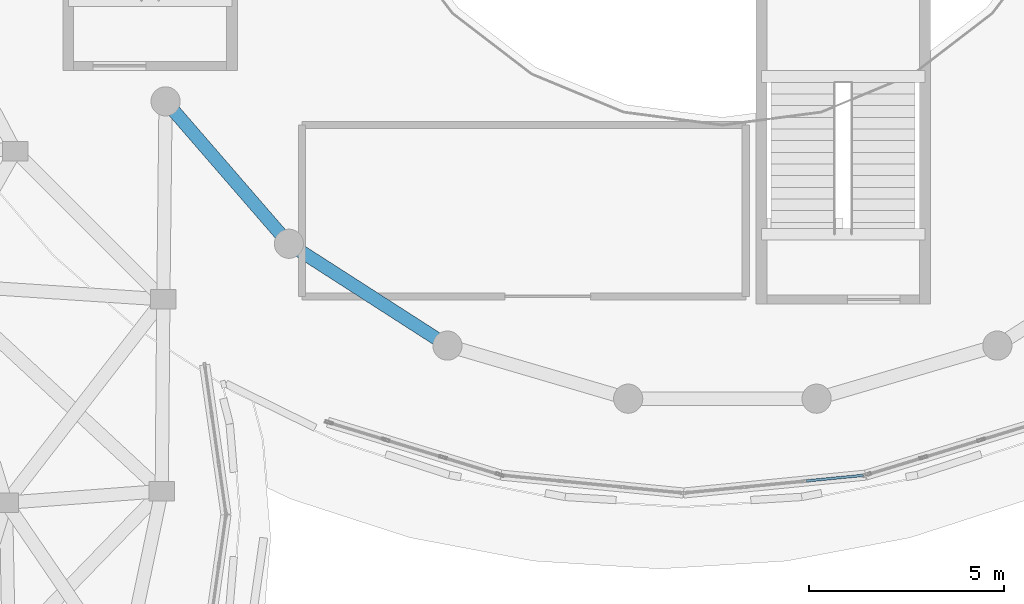
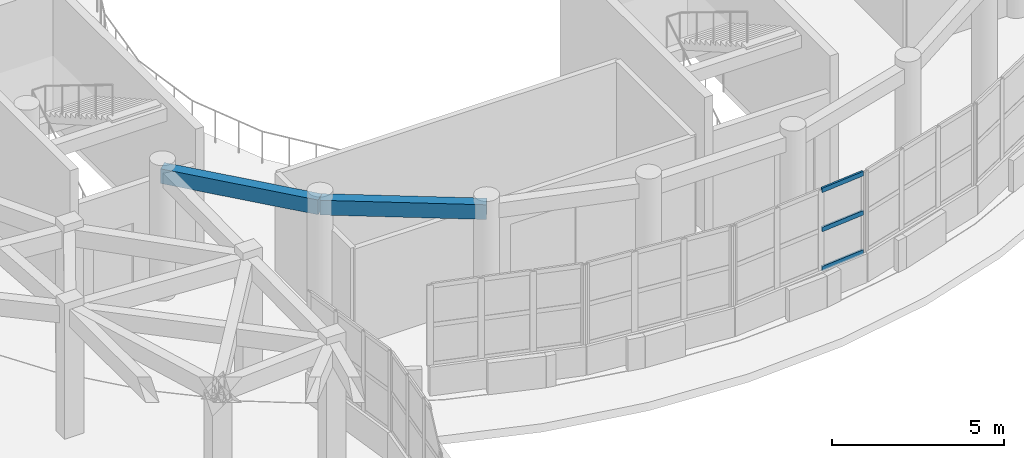
# One storey, part 22 of 98: 3 members, 2 beams, 1 element without a shape of its own.
"""IFC4 building model written with IfcOpenShell, lengths in metres."""

from ifc_helpers import new_model, si_unit, direction, frame, origin, origin_2d, place, context, subcontext, project, spatial, rectangle, hollow_rectangle, extrude, material, layer, layer_set, material_profile, profile_set, type_object, element, aggregate, save


model = new_model("IFC4")

# Units and contexts
model_context = context("Model", 3, precision=1e-05, world=origin(), true_north=direction((0.0, 1.0)))
body_context = subcontext(model_context, "Body", "Model", "MODEL_VIEW")
ifc_project = project(units=[si_unit("LENGTHUNIT", "METRE"), si_unit("AREAUNIT", "SQUARE_METRE"), si_unit("VOLUMEUNIT", "CUBIC_METRE"), si_unit("PLANEANGLEUNIT", "RADIAN"), si_unit("MASSUNIT", "GRAM", prefix="KILO")], contexts=[model_context])

# Site, building, storey
site_placement = place(None, origin())
site = spatial("IfcSite", under=ifc_project, at=site_placement, CompositionType="ELEMENT")
building_placement = place(site_placement, origin())
building = spatial("IfcBuilding", under=site, at=building_placement, Name="Pelvatis Terrace Science Centre", CompositionType="ELEMENT")
storey_placement = place(building_placement, frame((0.0, 0.0, 5.39990234375)))
storey = spatial("IfcBuildingStorey", under=building, at=storey_placement, Name="L01", CompositionType="ELEMENT", Elevation=5.39990234375)

# Beams
ifc_material_1 = material(Name="Concrete C35/45", Category="concrete")
ifc_material_profile_1 = material_profile(ifc_material_1, rectangle(XDim=0.340087890625, YDim=0.52001953125, at=origin_2d()), Name="RC-BM 340x520")
ifc_profile_set_1 = profile_set([ifc_material_profile_1], Name="Concrete C35/45")
beam_type = type_object("IfcBeamType", Name="BM-RC-340x520", PredefinedType="BEAM", material=ifc_profile_set_1)
beam_1_placement = place(storey_placement, frame((63.69873046875, 45.4091796875, 4.280029296875), z_axis=(0.654849858597, -0.75575899776, 0.0), x_axis=(0.75575899776, 0.654849858597, 0.0)))
element("IfcBeam", 1, at=beam_1_placement, inside=storey, type_object=beam_type, Name="Beam BM-L01-2576", PredefinedType="BEAM", context=body_context, shape_type="SweptSolid", body=[
    extrude(rectangle(XDim=0.340087890625, YDim=0.52001953125, at=origin_2d()), origin(), (0.0, 0.0, 1.0), 4.8388671875),
])
beam_2_placement = place(storey_placement, frame((66.867431640625, 41.752197265625, 4.280029296875), z_axis=(0.841255517216, -0.540637729681, 0.0), x_axis=(0.540637729681, 0.841255517216, 0.0)))
element("IfcBeam", 2, at=beam_2_placement, inside=storey, type_object=beam_type, Name="Beam BM-L01-2578", PredefinedType="BEAM", context=body_context, shape_type="SweptSolid", body=[
    extrude(rectangle(XDim=0.340087890625, YDim=0.52001953125, at=origin_2d()), origin(), (0.0, 0.0, 1.0), 4.838623046875),
])

# Curtain wall, members
ifc_material_2 = material(Name="Bronze-anodised aluminium and laminated glass", Category="aluminium")
ifc_layer = layer(ifc_material_2, 0.199951171875)
ifc_layer_set = layer_set([ifc_layer], Name="Bronze-anodised aluminium and laminated glass")
curtain_wall_type = type_object("IfcCurtainWallType", Name="CW-RIBBON-B", PredefinedType="NOTDEFINED", material=ifc_layer_set)
curtain_wall_placement = place(storey_placement, origin())
curtain_wall = element("IfcCurtainWall", 3, at=curtain_wall_placement, inside=storey, type_object=curtain_wall_type, Name="Ribbon curtain wall CW-070 (L01)", PredefinedType="NOTDEFINED")
ifc_material_3 = material(Name="Bronze-anodised aluminium 6063-T6", Category="aluminium")
ifc_material_profile_2 = material_profile(ifc_material_3, hollow_rectangle(XDim=0.06494140625, YDim=0.159912109375, WallThickness=0.00390625, at=origin_2d()), Name="ALU-TRN 65x160")
ifc_profile_set_2 = profile_set([ifc_material_profile_2], Name="Bronze-anodised aluminium 6063-T6")
member_type = type_object("IfcMemberType", Name="CWT-65x160", PredefinedType="USERDEFINED", material=ifc_profile_set_2)
member_1_placement = place(storey_placement, frame((80.155029296875, 35.659912109375, 1.052490234375), z_axis=(0.995213032238, 0.097729322439, 0.0), x_axis=(-0.097729322439, 0.995213032238, 0.0)))
member_1 = element("IfcMember", 4, at=member_1_placement, type_object=member_type, Name="CW-070 transom 3.1", ObjectType="TRANSOM", PredefinedType="USERDEFINED", context=body_context, shape_type="SweptSolid", body=[
    extrude(hollow_rectangle(XDim=0.06494140625, YDim=0.159912109375, WallThickness=0.00390625, at=origin_2d()), origin(), (0.0, 0.0, 1.0), 1.471435546875),
])
member_2_placement = place(storey_placement, frame((80.155029296875, 35.659912109375, 2.440185546875), z_axis=(0.995213032238, 0.097729322439, 0.0), x_axis=(-0.097729322439, 0.995213032238, 0.0)))
member_2 = element("IfcMember", 5, at=member_2_placement, type_object=member_type, Name="CW-070 transom 3.2", ObjectType="TRANSOM", PredefinedType="USERDEFINED", context=body_context, shape_type="SweptSolid", body=[
    extrude(hollow_rectangle(XDim=0.06494140625, YDim=0.159912109375, WallThickness=0.00390625, at=origin_2d()), origin(), (0.0, 0.0, 1.0), 1.471435546875),
])
member_3_placement = place(storey_placement, frame((80.155029296875, 35.659912109375, 3.82763671875), z_axis=(0.995213032238, 0.097729322439, 0.0), x_axis=(-0.097729322439, 0.995213032238, 0.0)))
member_3 = element("IfcMember", 6, at=member_3_placement, type_object=member_type, Name="CW-070 transom 3.3", ObjectType="TRANSOM", PredefinedType="USERDEFINED", context=body_context, shape_type="SweptSolid", body=[
    extrude(hollow_rectangle(XDim=0.06494140625, YDim=0.159912109375, WallThickness=0.00390625, at=origin_2d()), origin(), (0.0, 0.0, 1.0), 1.471435546875),
])
aggregate(curtain_wall, [member_1, member_2, member_3])

save(model, "model.ifc")
